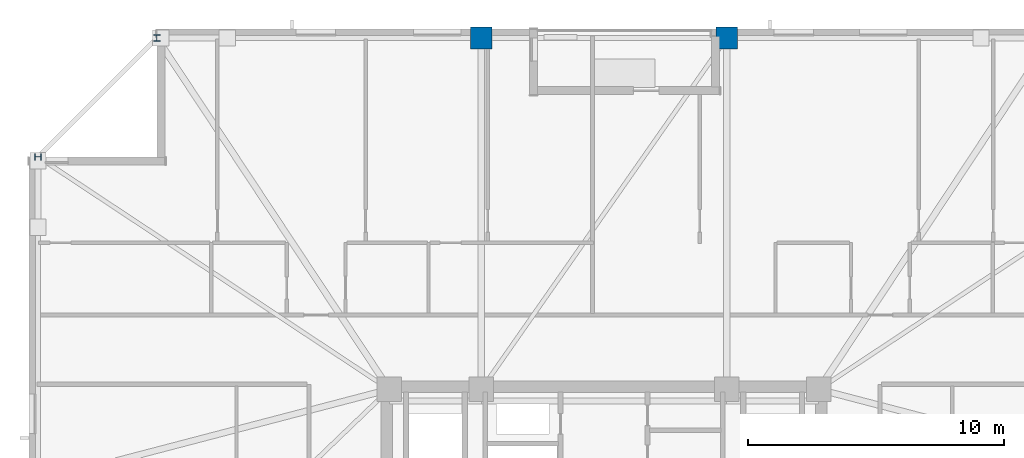
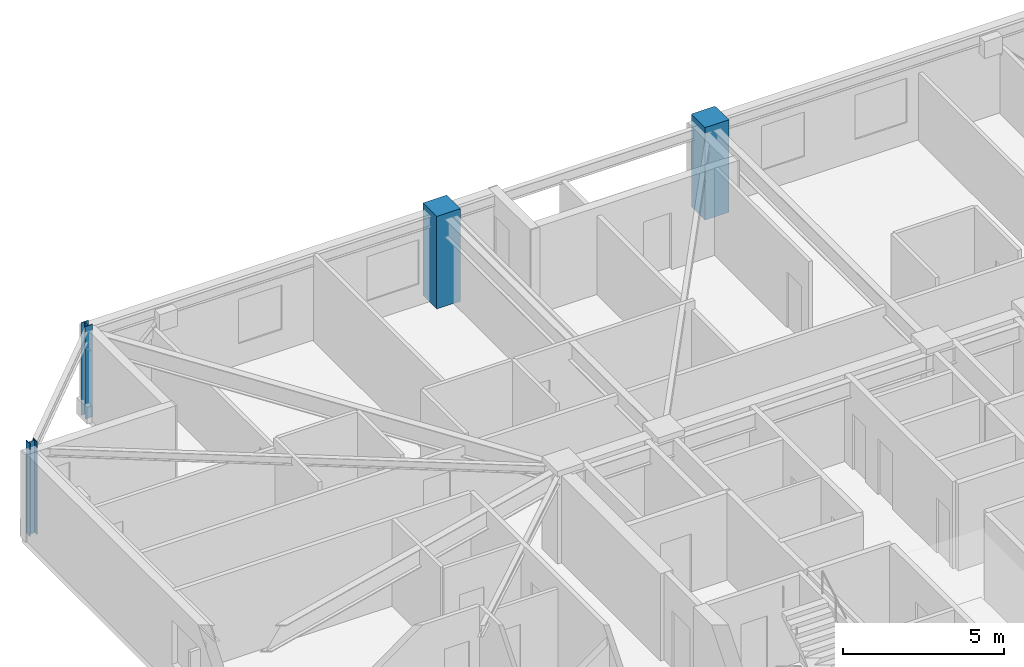
# One storey, part 4 of 17: 4 columns.
"""IFC4 building model written with IfcOpenShell, lengths in metres."""

from ifc_helpers import new_model, si_unit, direction, frame, origin, origin_2d, place, context, subcontext, project, spatial, rectangle, i_section, extrude, material, material_profile, profile_set, type_object, element, save


model = new_model("IFC4")

# Units and contexts
model_context = context("Model", 3, precision=1e-05, world=origin(), true_north=direction((0.0, 1.0)))
body_context = subcontext(model_context, "Body", "Model", "MODEL_VIEW")
ifc_project = project(units=[si_unit("LENGTHUNIT", "METRE"), si_unit("AREAUNIT", "SQUARE_METRE"), si_unit("VOLUMEUNIT", "CUBIC_METRE"), si_unit("PLANEANGLEUNIT", "RADIAN"), si_unit("MASSUNIT", "GRAM", prefix="KILO")], contexts=[model_context])

# Site, building, storey
site_placement = place(None, origin())
site = spatial("IfcSite", under=ifc_project, at=site_placement, CompositionType="ELEMENT")
building_placement = place(site_placement, origin())
building = spatial("IfcBuilding", under=site, at=building_placement, Name="Cairnveth Concourse Tower", CompositionType="ELEMENT")
storey_placement = place(building_placement, frame((0.0, 0.0, 213.0)))
storey = spatial("IfcBuildingStorey", under=building, at=storey_placement, Name="L58", CompositionType="ELEMENT", Elevation=213.0)

# Columns
ifc_material_1 = material(Name="Concrete N65 (65 MPa)", Category="concrete")
ifc_material_profile_1 = material_profile(ifc_material_1, rectangle(XDim=0.85009765625, YDim=0.85009765625, at=origin_2d()), Name="RC-COL-850x850")
ifc_profile_set_1 = profile_set([ifc_material_profile_1], Name="Concrete N65 (65 MPa)")
column_type_1 = type_object("IfcColumnType", Name="PERIMETER PIER COLUMN 850X850", PredefinedType="COLUMN", material=ifc_profile_set_1)
for number, where, z_axis, x_axis, name in (
    (1, (56.800048828125, 61.14990234375, 0.0), (0.0, 0.0, 1.0), (1.0, 0.0, 0.0), "Column P-N2 L58"),
    (2, (47.199951171875, 61.14990234375, 0.0), (0.0, 0.0, 1.0), (1.0, 0.0, 0.0), "Column P-N3 L58"),
):
    element("IfcColumn", number, at=place(storey_placement, frame(where, z_axis=z_axis, x_axis=x_axis)), inside=storey, type_object=column_type_1, Name=name, PredefinedType="COLUMN", context=body_context, shape_type="SweptSolid", body=[
        extrude(rectangle(XDim=0.85009765625, YDim=0.85009765625, at=origin_2d()), origin(), (0.0, 0.0, 1.0), 3.5),
    ])
ifc_material_2 = material(Name="Steel Grade 350", Category="steel")
ifc_material_profile_2 = material_profile(ifc_material_2, i_section(OverallWidth=0.256103515625, OverallDepth=0.260009765625, WebThickness=0.010498046875, FlangeThickness=0.017333984375, FilletRadius=0.012939453125, at=origin_2d()), Name="250UC89.5")
ifc_profile_set_2 = profile_set([ifc_material_profile_2], Name="Steel Grade 350")
column_type_2 = type_object("IfcColumnType", Name="UNIVERSAL STEEL COLUMN 250UC89.5", PredefinedType="COLUMN", material=ifc_profile_set_2)
for number, where, z_axis, x_axis, name in (
    (3, (34.5, 61.14990234375, 0.0), (0.0, 0.0, 1.0), (1.0, 0.0, 0.0), "Column P-N4 L58"),
    (4, (29.85009765625, 56.5, 0.0), (0.0, 0.0, 1.0), (0.0, 1.0, 0.0), "Column P-W1 L58"),
):
    element("IfcColumn", number, at=place(storey_placement, frame(where, z_axis=z_axis, x_axis=x_axis)), inside=storey, type_object=column_type_2, Name=name, PredefinedType="COLUMN", context=body_context, shape_type="SweptSolid", body=[
        extrude(i_section(OverallWidth=0.256103515625, OverallDepth=0.260009765625, WebThickness=0.010498046875, FlangeThickness=0.017333984375, FilletRadius=0.012939453125, at=origin_2d()), origin(), (0.0, 0.0, 1.0), 3.5),
    ])

save(model, "model.ifc")
